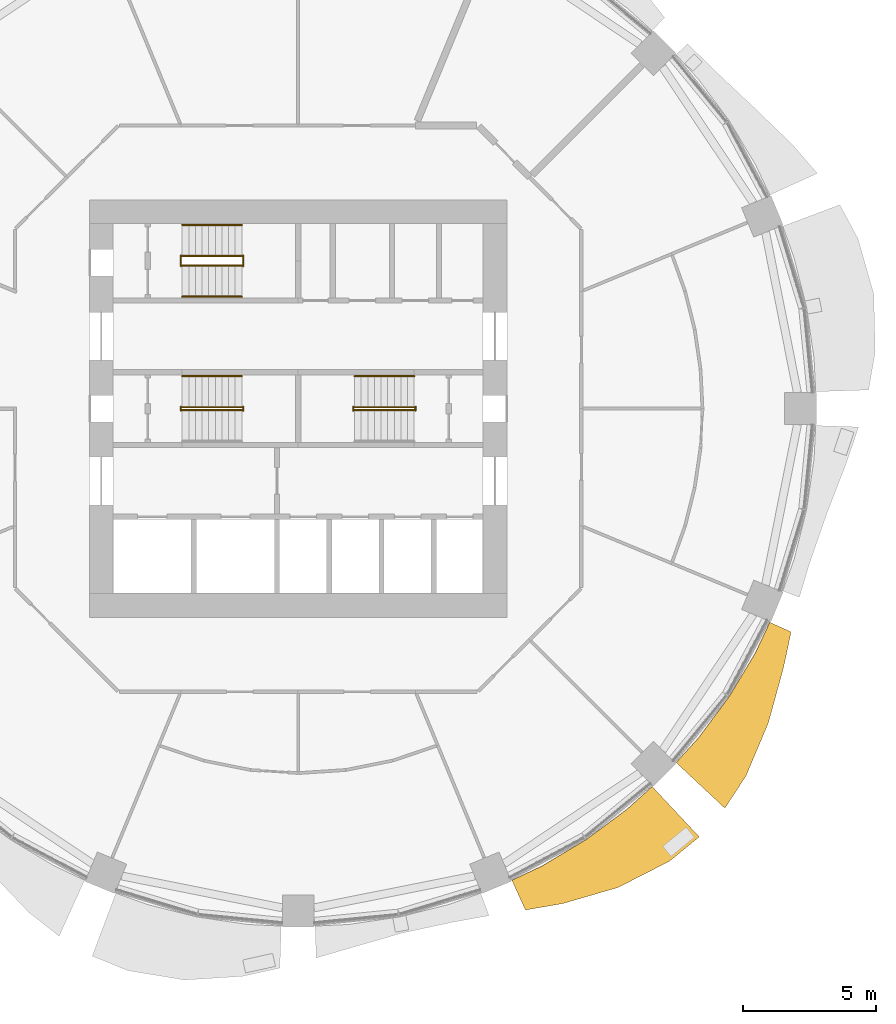
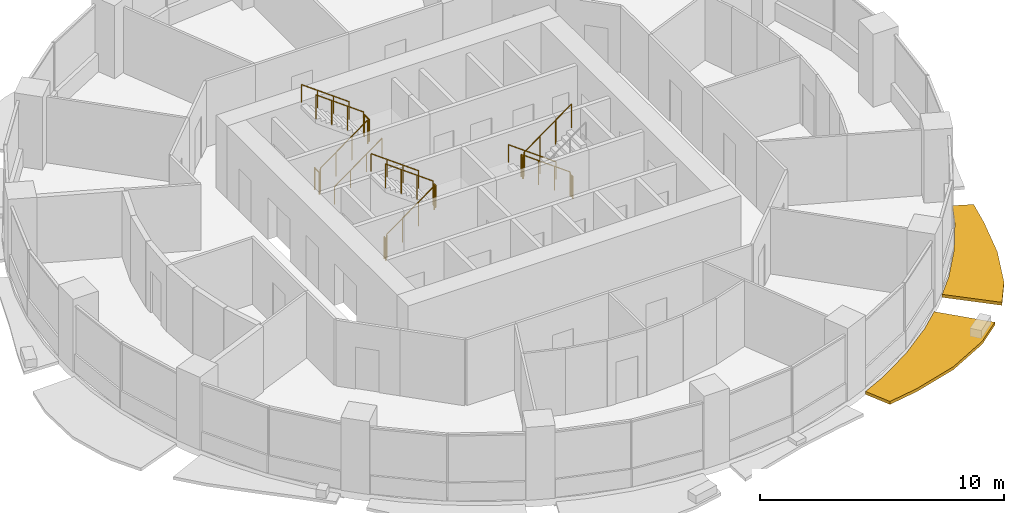
# One storey, part 13 of 15: 16 railings, 2 shading devices.
"""IFC4 building model written with IfcOpenShell, lengths in metres."""

import ifcopenshell
import ifcopenshell.guid

model = None  # the IFC model being written
_history = None  # IfcOwnerHistory: only IFC2X3 demands one
_inside = {}  # id of a spatial element -> (the spatial element, [elements in it])
_under = {}  # id of a project, library or spatial element -> (it, [spatial elements below it])
_declared = {}  # id of a project -> (the project, [libraries it declares])
_typed = {}  # id of a type object -> (the type object, [elements of that type])
_made_of = {}  # id of a material, layer set ... -> (it, [elements and type objects made of it])


def new_model(schema):
    """Start an empty IFC model of exactly this schema.

    Asked for "IFC4X3", IfcOpenShell would pick the latest addendum, in which some entities
    have other attributes; the version numbers below select the first issue.
    IFC2X3 requires an IfcOwnerHistory on every rooted entity: one is made here for all.
    """
    global model, _history
    if schema == "IFC4X3":
        model = ifcopenshell.file(schema_version=(4, 3, 0, 0))
    else:
        model = ifcopenshell.file(schema=schema)
    _inside.clear()
    _under.clear()
    _declared.clear()
    _typed.clear()
    _made_of.clear()
    _history = None
    if model.schema == "IFC2X3":
        org = make("IfcOrganization", Name="unknown")
        user = make(
            "IfcPersonAndOrganization",
            ThePerson=make("IfcPerson", FamilyName="unknown"),
            TheOrganization=org,
        )
        app = make(
            "IfcApplication",
            ApplicationDeveloper=org,
            Version="unknown",
            ApplicationFullName="unknown",
            ApplicationIdentifier="unknown",
        )
        _history = make(
            "IfcOwnerHistory",
            OwningUser=user,
            OwningApplication=app,
            ChangeAction="ADDED",
            CreationDate=0,
        )
    return model


def make(cls, **values):
    """One entity of the class cls with the attributes given. An attribute that is None is left unset."""
    return model.create_entity(
        cls, **{name: value for name, value in values.items() if value is not None}
    )


def rooted(cls, **values):
    """An entity with a GlobalId (a new one), such as an element, a storey or a relation."""
    return make(cls, GlobalId=ifcopenshell.guid.new(), OwnerHistory=_history, **values)


def si_unit(unit_type, name, prefix=None):
    """IfcSIUnit, for example si_unit("LENGTHUNIT", "METRE", prefix="MILLI")."""
    return make("IfcSIUnit", UnitType=unit_type, Prefix=prefix, Name=name)


def assignment(units):
    """IfcUnitAssignment: the units of a project."""
    return None if units is None else make("IfcUnitAssignment", Units=units)


def point(xyz):
    """IfcCartesianPoint."""
    return None if xyz is None else make("IfcCartesianPoint", Coordinates=xyz)


def direction(xyz):
    """IfcDirection."""
    return None if xyz is None else make("IfcDirection", DirectionRatios=xyz)


def frame(location, z_axis=None, x_axis=None):
    """IfcAxis2Placement3D, a coordinate frame: its origin and axes. An axis left out is left unset."""
    return make(
        "IfcAxis2Placement3D",
        Location=point(location),
        Axis=direction(z_axis),
        RefDirection=direction(x_axis),
    )


def frame_2d(location, x_axis=None):
    """IfcAxis2Placement2D, a coordinate frame in the plane: its origin and x axis."""
    return make(
        "IfcAxis2Placement2D", Location=point(location), RefDirection=direction(x_axis)
    )


def origin():
    """The frame at (0, 0, 0) with its axes left unset."""
    return frame((0.0, 0.0, 0.0))


def origin_2d():
    """The frame at (0, 0) in the plane with its x axis left unset."""
    return frame_2d((0.0, 0.0))


def place(relative_to, where):
    """IfcLocalPlacement: puts the frame where relative to a parent placement (None: the world)."""
    return make(
        "IfcLocalPlacement", PlacementRelTo=relative_to, RelativePlacement=where
    )


def context(
    kind, dimensions, precision=None, world=None, true_north=None, identifier=None
):
    """IfcGeometricRepresentationContext, for example the 3D "Model" context."""
    return make(
        "IfcGeometricRepresentationContext",
        ContextIdentifier=identifier,
        ContextType=kind,
        CoordinateSpaceDimension=dimensions,
        Precision=precision,
        WorldCoordinateSystem=world,
        TrueNorth=true_north,
    )


def subcontext(parent, identifier, kind, view, scale=None):
    """IfcGeometricRepresentationSubContext, for example "Body" below "Model"."""
    return make(
        "IfcGeometricRepresentationSubContext",
        ContextIdentifier=identifier,
        ContextType=kind,
        ParentContext=parent,
        TargetScale=scale,
        TargetView=view,
    )


def project(units=None, contexts=None):
    """IfcProject with its units and contexts."""
    return rooted(
        "IfcProject",
        Name="project",
        RepresentationContexts=contexts,
        UnitsInContext=assignment(units),
    )


def spatial(cls, under=None, at=None, **own):
    """A site, building, storey or space (cls), placed at a placement, below another one or the project."""
    s = rooted(cls, ObjectPlacement=at, **own)
    if under is not None:
        _under.setdefault(under.id(), (under, []))[1].append(s)
    return s


def polyline(points):
    """IfcPolyline through the points."""
    return make("IfcPolyline", Points=[point(p) for p in points])


def profile(cls, at=None, kind="AREA", **sizes):
    """A parametric profile (cls). Its sizes go by their IFC names, for example OverallWidth=200.0."""
    return make(cls, ProfileType=kind, Position=at, **sizes)


def circle(**sizes):
    """IfcCircleProfileDef."""
    return profile("IfcCircleProfileDef", **sizes)


def outline(outer, holes=None, kind="AREA"):
    """IfcArbitraryClosedProfileDef: a profile drawn as a closed curve; with holes, ...WithVoids."""
    if holes is None:
        return make("IfcArbitraryClosedProfileDef", ProfileType=kind, OuterCurve=outer)
    return make(
        "IfcArbitraryProfileDefWithVoids",
        ProfileType=kind,
        OuterCurve=outer,
        InnerCurves=holes,
    )


def extrude(swept, where, along, depth):
    """IfcExtrudedAreaSolid: the profile swept, set in the frame where, extruded along a direction by depth."""
    return make(
        "IfcExtrudedAreaSolid",
        SweptArea=swept,
        Position=where,
        ExtrudedDirection=direction(along),
        Depth=depth,
    )


def shape(context_of_items, identifier, shape_type, items):
    """IfcShapeRepresentation: the items that make up one representation, for example the "Body"."""
    return make(
        "IfcShapeRepresentation",
        ContextOfItems=context_of_items,
        RepresentationIdentifier=identifier,
        RepresentationType=shape_type,
        Items=items,
    )


def material(Name=None, Category=None):
    """IfcMaterial."""
    return make("IfcMaterial", Name=Name, Category=Category)


def made_of(thing, what):
    """Note that an element or type object is made of a material, layer set ...; save() writes the relation."""
    if what is not None:
        _made_of.setdefault(what.id(), (what, []))[1].append(thing)
    return thing


def type_object(cls, material=None, **own):
    """A type object (cls), such as IfcWallType, which elements share."""
    return made_of(rooted(cls, **own), material)


def element(
    cls,
    number,
    at=None,
    inside=None,
    cuts=None,
    type_object=None,
    material=None,
    context=None,
    identifier="Body",
    shape_type=None,
    held_by="IfcProductDefinitionShape",
    body=None,
    shapes=None,
    **own,
):
    """One element of the class cls, such as IfcWall. Its Tag is "e" and its number.

    at: its placement. inside: the storey or other place that contains it. cuts: it is an
    opening in that element (IfcRelVoidsElement). A single representation is given by context,
    identifier, shape_type and body (its items); several are given by shapes. held_by: the class
    of the entity that holds the representations. save() writes the other relations.
    """
    e = rooted(cls, Tag="e%d" % number, ObjectPlacement=at, **own)
    if body is not None:
        shapes = [shape(context, identifier, shape_type, body)]
    if shapes is not None:
        e.Representation = make(held_by, Representations=shapes)
    if inside is not None:
        _inside.setdefault(inside.id(), (inside, []))[1].append(e)
    if cuts is not None:
        rooted(
            "IfcRelVoidsElement", RelatingBuildingElement=cuts, RelatedOpeningElement=e
        )
    if type_object is not None:
        _typed.setdefault(type_object.id(), (type_object, []))[1].append(e)
    return made_of(e, material)


def aggregate(whole, parts):
    """IfcRelAggregates: a whole, such as a stair, and the parts it consists of."""
    return rooted("IfcRelAggregates", RelatingObject=whole, RelatedObjects=parts)


def save(model, path):
    """Write the relations noted so far, then the file.

    IfcRelAggregates (storeys below a building ...), IfcRelContainedInSpatialStructure (elements
    in a storey), IfcRelDefinesByType, IfcRelAssociatesMaterial and IfcRelDeclares: one each for
    every whole, place, type object, material and project.
    """
    for whole, parts in _under.values():
        aggregate(whole, parts)
    for where, things in _inside.values():
        rooted(
            "IfcRelContainedInSpatialStructure",
            RelatedElements=things,
            RelatingStructure=where,
        )
    for kind, things in _typed.values():
        rooted("IfcRelDefinesByType", RelatedObjects=things, RelatingType=kind)
    for what, things in _made_of.values():
        rooted("IfcRelAssociatesMaterial", RelatedObjects=things, RelatingMaterial=what)
    for by, libraries in _declared.values():
        rooted("IfcRelDeclares", RelatingContext=by, RelatedDefinitions=libraries)
    model.write(path)


model = new_model("IFC4")

# Units and contexts
model_context = context("Model", 3, precision=1e-05, world=origin(), true_north=direction((0.0, 1.0)))
body_context = subcontext(model_context, "Body", "Model", "MODEL_VIEW")
ifc_project = project(units=[si_unit("LENGTHUNIT", "METRE"), si_unit("AREAUNIT", "SQUARE_METRE"), si_unit("VOLUMEUNIT", "CUBIC_METRE"), si_unit("PLANEANGLEUNIT", "RADIAN"), si_unit("MASSUNIT", "GRAM", prefix="KILO")], contexts=[model_context])

# Site, building, storey
site_placement = place(None, origin())
site = spatial("IfcSite", under=ifc_project, at=site_placement, CompositionType="ELEMENT")
building_placement = place(site_placement, origin())
building = spatial("IfcBuilding", under=site, at=building_placement, Name="Polderwave Tower", CompositionType="ELEMENT")
storey_placement = place(building_placement, frame((0.0, 0.0, 59.050048828125)))
storey = spatial("IfcBuildingStorey", under=building, at=storey_placement, Name="L15", CompositionType="ELEMENT", Elevation=59.050048828125)

# Railings
ifc_material_1 = material(Name="Stainless steel", Category="steel")
railing_type_1 = type_object("IfcRailingType", Name="Stair guard 1100", PredefinedType="GUARDRAIL", material=ifc_material_1)
railing_1_placement = place(storey_placement, frame((-4.3740234375, -0.051025390625, 0.062255859375)))
element("IfcRailing", 1, at=railing_1_placement, inside=storey, type_object=railing_type_1, Name="L15 ST-A stair guard 1", PredefinedType="GUARDRAIL", context=body_context, shape_type="SweptSolid", body=[
    extrude(circle(Radius=0.02392578125, at=origin_2d()), frame((0.0, 0.0, 1.1962890625), z_axis=(0.807673635365, 0.0, 0.58962979804), x_axis=(0.0, 1.0, 0.0)), (0.0, 0.0, 1.0), 2.785888671875),
    extrude(circle(Radius=0.02392578125, at=origin_2d()), origin(), (0.0, 0.0, 1.0), 1.172119140625),
    extrude(circle(Radius=0.02392578125, at=origin_2d()), frame((0.75, 0.0, 0.547607421875)), (0.0, 0.0, 1.0), 1.172119140625),
    extrude(circle(Radius=0.02392578125, at=origin_2d()), frame((1.5, 0.0, 1.094970703125)), (0.0, 0.0, 1.0), 1.172119140625),
    extrude(circle(Radius=0.02392578125, at=origin_2d()), frame((2.25, 0.0, 1.642578125)), (0.0, 0.0, 1.0), 1.172119140625),
])
railing_2_placement = place(storey_placement, frame((-2.073974609375, -0.074951171875, 1.824951171875)))
element("IfcRailing", 2, at=railing_2_placement, inside=storey, type_object=railing_type_1, Name="L15 ST-A stair guard 2", PredefinedType="GUARDRAIL", context=body_context, shape_type="SweptSolid", body=[
    extrude(circle(Radius=0.02392578125, at=origin_2d()), frame((0.0, 0.0, 1.076171875), z_axis=(0.0, 1.0, 0.0), x_axis=(-1.0, 0.0, 0.0)), (0.0, 0.0, 1.0), 0.14990234375),
    extrude(circle(Radius=0.02099609375, at=origin_2d()), origin(), (0.0, 0.0, 1.0), 1.052001953125),
    extrude(circle(Radius=0.02099609375, at=origin_2d()), frame((0.0, 0.14990234375, 0.0)), (0.0, 0.0, 1.0), 1.052001953125),
])
railing_3_placement = place(storey_placement, frame((-2.1240234375, 0.051025390625, 1.887451171875)))
element("IfcRailing", 3, at=railing_3_placement, inside=storey, type_object=railing_type_1, Name="L15 ST-A stair guard 3", PredefinedType="GUARDRAIL", context=body_context, shape_type="SweptSolid", body=[
    extrude(circle(Radius=0.02392578125, at=origin_2d()), frame((0.0, 0.0, 1.1962890625), z_axis=(-0.807715371301, 0.0, 0.589572623995), x_axis=(0.0, -1.0, 0.0)), (0.0, 0.0, 1.0), 2.78564453125),
    extrude(circle(Radius=0.02392578125, at=origin_2d()), origin(), (0.0, 0.0, 1.0), 1.172119140625),
    extrude(circle(Radius=0.02392578125, at=origin_2d()), frame((-0.75, 0.0, 0.54736328125)), (0.0, 0.0, 1.0), 1.172119140625),
    extrude(circle(Radius=0.02392578125, at=origin_2d()), frame((-1.5, 0.0, 1.094970703125)), (0.0, 0.0, 1.0), 1.172119140625),
    extrude(circle(Radius=0.02392578125, at=origin_2d()), frame((-2.25, 0.0, 1.642333984375)), (0.0, 0.0, 1.0), 1.172119140625),
])
railing_4_placement = place(storey_placement, frame((-4.424072265625, -0.074951171875, 0.0)))
element("IfcRailing", 4, at=railing_4_placement, inside=storey, type_object=railing_type_1, Name="L15 ST-A stair guard 4", PredefinedType="GUARDRAIL", context=body_context, shape_type="SweptSolid", body=[
    extrude(circle(Radius=0.02392578125, at=origin_2d()), frame((0.0, 0.0, 1.076171875), z_axis=(0.0, 1.0, 0.0), x_axis=(-1.0, 0.0, 0.0)), (0.0, 0.0, 1.0), 0.14990234375),
    extrude(circle(Radius=0.02099609375, at=origin_2d()), origin(), (0.0, 0.0, 1.0), 1.052001953125),
    extrude(circle(Radius=0.02099609375, at=origin_2d()), frame((0.0, 0.14990234375, 0.0)), (0.0, 0.0, 1.0), 1.052001953125),
])
railing_5_placement = place(storey_placement, frame((4.3740234375, 0.051025390625, 0.062255859375)))
element("IfcRailing", 5, at=railing_5_placement, inside=storey, type_object=railing_type_1, Name="L15 ST-B stair guard 1", PredefinedType="GUARDRAIL", context=body_context, shape_type="SweptSolid", body=[
    extrude(circle(Radius=0.02392578125, at=origin_2d()), frame((0.0, 0.0, 1.1962890625), z_axis=(-0.807673635365, 0.0, 0.58962979804), x_axis=(0.0, -1.0, 0.0)), (0.0, 0.0, 1.0), 2.785888671875),
    extrude(circle(Radius=0.02392578125, at=origin_2d()), origin(), (0.0, 0.0, 1.0), 1.172119140625),
    extrude(circle(Radius=0.02392578125, at=origin_2d()), frame((-0.75, 0.0, 0.547607421875)), (0.0, 0.0, 1.0), 1.172119140625),
    extrude(circle(Radius=0.02392578125, at=origin_2d()), frame((-1.5, 0.0, 1.094970703125)), (0.0, 0.0, 1.0), 1.172119140625),
    extrude(circle(Radius=0.02392578125, at=origin_2d()), frame((-2.25, 0.0, 1.642578125)), (0.0, 0.0, 1.0), 1.172119140625),
])
railing_6_placement = place(storey_placement, frame((2.073974609375, 0.074951171875, 1.824951171875)))
element("IfcRailing", 6, at=railing_6_placement, inside=storey, type_object=railing_type_1, Name="L15 ST-B stair guard 2", PredefinedType="GUARDRAIL", context=body_context, shape_type="SweptSolid", body=[
    extrude(circle(Radius=0.02392578125, at=origin_2d()), frame((0.0, 0.0, 1.076171875), z_axis=(0.0, -1.0, 0.0), x_axis=(1.0, 0.0, 0.0)), (0.0, 0.0, 1.0), 0.14990234375),
    extrude(circle(Radius=0.02099609375, at=origin_2d()), origin(), (0.0, 0.0, 1.0), 1.052001953125),
    extrude(circle(Radius=0.02099609375, at=origin_2d()), frame((0.0, -0.14990234375, 0.0)), (0.0, 0.0, 1.0), 1.052001953125),
])
railing_7_placement = place(storey_placement, frame((2.1240234375, -0.051025390625, 1.887451171875)))
element("IfcRailing", 7, at=railing_7_placement, inside=storey, type_object=railing_type_1, Name="L15 ST-B stair guard 3", PredefinedType="GUARDRAIL", context=body_context, shape_type="SweptSolid", body=[
    extrude(circle(Radius=0.02392578125, at=origin_2d()), frame((0.0, 0.0, 1.1962890625), z_axis=(0.807715371301, 0.0, 0.589572623995), x_axis=(0.0, 1.0, 0.0)), (0.0, 0.0, 1.0), 2.78564453125),
    extrude(circle(Radius=0.02392578125, at=origin_2d()), origin(), (0.0, 0.0, 1.0), 1.172119140625),
    extrude(circle(Radius=0.02392578125, at=origin_2d()), frame((0.75, 0.0, 0.54736328125)), (0.0, 0.0, 1.0), 1.172119140625),
    extrude(circle(Radius=0.02392578125, at=origin_2d()), frame((1.5, 0.0, 1.094970703125)), (0.0, 0.0, 1.0), 1.172119140625),
    extrude(circle(Radius=0.02392578125, at=origin_2d()), frame((2.25, 0.0, 1.642333984375)), (0.0, 0.0, 1.0), 1.172119140625),
])
railing_8_placement = place(storey_placement, frame((4.424072265625, 0.074951171875, 0.0)))
element("IfcRailing", 8, at=railing_8_placement, inside=storey, type_object=railing_type_1, Name="L15 ST-B stair guard 4", PredefinedType="GUARDRAIL", context=body_context, shape_type="SweptSolid", body=[
    extrude(circle(Radius=0.02392578125, at=origin_2d()), frame((0.0, 0.0, 1.076171875), z_axis=(0.0, -1.0, 0.0), x_axis=(1.0, 0.0, 0.0)), (0.0, 0.0, 1.0), 0.14990234375),
    extrude(circle(Radius=0.02099609375, at=origin_2d()), origin(), (0.0, 0.0, 1.0), 1.052001953125),
    extrude(circle(Radius=0.02099609375, at=origin_2d()), frame((0.0, -0.14990234375, 0.0)), (0.0, 0.0, 1.0), 1.052001953125),
])
railing_9_placement = place(storey_placement, frame((-4.3740234375, 5.39794921875, 0.062255859375)))
element("IfcRailing", 9, at=railing_9_placement, inside=storey, type_object=railing_type_1, Name="L15 ST-C stair guard 1", PredefinedType="GUARDRAIL", context=body_context, shape_type="SweptSolid", body=[
    extrude(circle(Radius=0.02392578125, at=origin_2d()), frame((0.0, 0.0, 1.1962890625), z_axis=(0.807673635365, 0.0, 0.58962979804), x_axis=(0.0, 1.0, 0.0)), (0.0, 0.0, 1.0), 2.785888671875),
    extrude(circle(Radius=0.02392578125, at=origin_2d()), origin(), (0.0, 0.0, 1.0), 1.172119140625),
    extrude(circle(Radius=0.02392578125, at=origin_2d()), frame((0.75, 0.0, 0.547607421875)), (0.0, 0.0, 1.0), 1.172119140625),
    extrude(circle(Radius=0.02392578125, at=origin_2d()), frame((1.5, 0.0, 1.094970703125)), (0.0, 0.0, 1.0), 1.172119140625),
    extrude(circle(Radius=0.02392578125, at=origin_2d()), frame((2.25, 0.0, 1.642578125)), (0.0, 0.0, 1.0), 1.172119140625),
])
railing_10_placement = place(storey_placement, frame((-2.073974609375, 5.3740234375, 1.824951171875)))
element("IfcRailing", 10, at=railing_10_placement, inside=storey, type_object=railing_type_1, Name="L15 ST-C stair guard 2", PredefinedType="GUARDRAIL", context=body_context, shape_type="SweptSolid", body=[
    extrude(circle(Radius=0.02392578125, at=origin_2d()), frame((0.0, 0.0, 1.076171875), z_axis=(0.0, 1.0, 0.0), x_axis=(-1.0, 0.0, 0.0)), (0.0, 0.0, 1.0), 0.39990234375),
    extrude(circle(Radius=0.02099609375, at=origin_2d()), origin(), (0.0, 0.0, 1.0), 1.052001953125),
    extrude(circle(Radius=0.02099609375, at=origin_2d()), frame((0.0, 0.39990234375, 0.0)), (0.0, 0.0, 1.0), 1.052001953125),
])
railing_11_placement = place(storey_placement, frame((-2.1240234375, 5.75, 1.887451171875)))
element("IfcRailing", 11, at=railing_11_placement, inside=storey, type_object=railing_type_1, Name="L15 ST-C stair guard 3", PredefinedType="GUARDRAIL", context=body_context, shape_type="SweptSolid", body=[
    extrude(circle(Radius=0.02392578125, at=origin_2d()), frame((0.0, 0.0, 1.1962890625), z_axis=(-0.807715371301, 0.0, 0.589572623995), x_axis=(0.0, -1.0, 0.0)), (0.0, 0.0, 1.0), 2.78564453125),
    extrude(circle(Radius=0.02392578125, at=origin_2d()), origin(), (0.0, 0.0, 1.0), 1.172119140625),
    extrude(circle(Radius=0.02392578125, at=origin_2d()), frame((-0.75, 0.0, 0.54736328125)), (0.0, 0.0, 1.0), 1.172119140625),
    extrude(circle(Radius=0.02392578125, at=origin_2d()), frame((-1.5, 0.0, 1.094970703125)), (0.0, 0.0, 1.0), 1.172119140625),
    extrude(circle(Radius=0.02392578125, at=origin_2d()), frame((-2.25, 0.0, 1.642333984375)), (0.0, 0.0, 1.0), 1.172119140625),
])
railing_12_placement = place(storey_placement, frame((-4.424072265625, 5.3740234375, 0.0)))
element("IfcRailing", 12, at=railing_12_placement, inside=storey, type_object=railing_type_1, Name="L15 ST-C stair guard 4", PredefinedType="GUARDRAIL", context=body_context, shape_type="SweptSolid", body=[
    extrude(circle(Radius=0.02392578125, at=origin_2d()), frame((0.0, 0.0, 1.076171875), z_axis=(0.0, 1.0, 0.0), x_axis=(-1.0, 0.0, 0.0)), (0.0, 0.0, 1.0), 0.39990234375),
    extrude(circle(Radius=0.02099609375, at=origin_2d()), origin(), (0.0, 0.0, 1.0), 1.052001953125),
    extrude(circle(Radius=0.02099609375, at=origin_2d()), frame((0.0, 0.39990234375, 0.0)), (0.0, 0.0, 1.0), 1.052001953125),
])
railing_type_2 = type_object("IfcRailingType", Name="Stair handrail 900", PredefinedType="HANDRAIL", material=ifc_material_1)
railing_13_placement = place(storey_placement, frame((-2.1240234375, 1.22509765625, 2.007568359375)))
element("IfcRailing", 13, at=railing_13_placement, inside=storey, type_object=railing_type_2, Name="L15 ST-A stair handrail 2", PredefinedType="HANDRAIL", context=body_context, shape_type="SweptSolid", body=[
    extrude(circle(Radius=0.02392578125, at=origin_2d()), frame((0.0, 0.0, 0.8759765625), z_axis=(-0.807715371301, 0.0, 0.589572623995), x_axis=(0.0, -1.0, 0.0)), (0.0, 0.0, 1.0), 2.78564453125),
    extrude(circle(Radius=0.02099609375, at=origin_2d()), origin(), (0.0, 0.0, 1.0), 0.851806640625),
    extrude(circle(Radius=0.02099609375, at=origin_2d()), frame((-0.75, 0.0, 0.54736328125)), (0.0, 0.0, 1.0), 0.851806640625),
    extrude(circle(Radius=0.02099609375, at=origin_2d()), frame((-1.5, 0.0, 1.094970703125)), (0.0, 0.0, 1.0), 0.851806640625),
    extrude(circle(Radius=0.02099609375, at=origin_2d()), frame((-2.25, 0.0, 1.642333984375)), (0.0, 0.0, 1.0), 0.851806640625),
])
railing_14_placement = place(storey_placement, frame((4.3740234375, 1.22509765625, 0.182373046875)))
element("IfcRailing", 14, at=railing_14_placement, inside=storey, type_object=railing_type_2, Name="L15 ST-B stair handrail 1", PredefinedType="HANDRAIL", context=body_context, shape_type="SweptSolid", body=[
    extrude(circle(Radius=0.02392578125, at=origin_2d()), frame((0.0, 0.0, 0.8759765625), z_axis=(-0.807673635365, 0.0, 0.58962979804), x_axis=(0.0, -1.0, 0.0)), (0.0, 0.0, 1.0), 2.785888671875),
    extrude(circle(Radius=0.02099609375, at=origin_2d()), origin(), (0.0, 0.0, 1.0), 0.851806640625),
    extrude(circle(Radius=0.02099609375, at=origin_2d()), frame((-0.75, 0.0, 0.547607421875)), (0.0, 0.0, 1.0), 0.851806640625),
    extrude(circle(Radius=0.02099609375, at=origin_2d()), frame((-1.5, 0.0, 1.094970703125)), (0.0, 0.0, 1.0), 0.851806640625),
    extrude(circle(Radius=0.02099609375, at=origin_2d()), frame((-2.25, 0.0, 1.642578125)), (0.0, 0.0, 1.0), 0.851806640625),
])
railing_15_placement = place(storey_placement, frame((-4.3740234375, 4.22412109375, 0.182373046875)))
element("IfcRailing", 15, at=railing_15_placement, inside=storey, type_object=railing_type_2, Name="L15 ST-C stair handrail 1", PredefinedType="HANDRAIL", context=body_context, shape_type="SweptSolid", body=[
    extrude(circle(Radius=0.02392578125, at=origin_2d()), frame((0.0, 0.0, 0.8759765625), z_axis=(0.807673635365, 0.0, 0.58962979804), x_axis=(0.0, 1.0, 0.0)), (0.0, 0.0, 1.0), 2.785888671875),
    extrude(circle(Radius=0.02099609375, at=origin_2d()), origin(), (0.0, 0.0, 1.0), 0.851806640625),
    extrude(circle(Radius=0.02099609375, at=origin_2d()), frame((0.75, 0.0, 0.547607421875)), (0.0, 0.0, 1.0), 0.851806640625),
    extrude(circle(Radius=0.02099609375, at=origin_2d()), frame((1.5, 0.0, 1.094970703125)), (0.0, 0.0, 1.0), 0.851806640625),
    extrude(circle(Radius=0.02099609375, at=origin_2d()), frame((2.25, 0.0, 1.642578125)), (0.0, 0.0, 1.0), 0.851806640625),
])
railing_16_placement = place(storey_placement, frame((-2.1240234375, 6.924072265625, 2.007568359375)))
element("IfcRailing", 16, at=railing_16_placement, inside=storey, type_object=railing_type_2, Name="L15 ST-C stair handrail 2", PredefinedType="HANDRAIL", context=body_context, shape_type="SweptSolid", body=[
    extrude(circle(Radius=0.02392578125, at=origin_2d()), frame((0.0, 0.0, 0.8759765625), z_axis=(-0.807715371301, 0.0, 0.589572623995), x_axis=(0.0, -1.0, 0.0)), (0.0, 0.0, 1.0), 2.78564453125),
    extrude(circle(Radius=0.02099609375, at=origin_2d()), origin(), (0.0, 0.0, 1.0), 0.851806640625),
    extrude(circle(Radius=0.02099609375, at=origin_2d()), frame((-0.75, 0.0, 0.54736328125)), (0.0, 0.0, 1.0), 0.851806640625),
    extrude(circle(Radius=0.02099609375, at=origin_2d()), frame((-1.5, 0.0, 1.094970703125)), (0.0, 0.0, 1.0), 0.851806640625),
    extrude(circle(Radius=0.02099609375, at=origin_2d()), frame((-2.25, 0.0, 1.642333984375)), (0.0, 0.0, 1.0), 0.851806640625),
])

# Shading devices
ifc_material_2 = material(Name="Terracotta", Category="masonry")
shading_device_type = type_object("IfcShadingDeviceType", Name="Terracotta sunshade band", PredefinedType="USERDEFINED", material=ifc_material_2)
shading_device_1_placement = place(storey_placement, frame((0.0, 0.0, -0.35009765625)))
element("IfcShadingDevice", 17, at=shading_device_1_placement, inside=storey, type_object=shading_device_type, Name="Sunshade band L15 14", ObjectType="SUNSHADE", PredefinedType="USERDEFINED", context=body_context, shape_type="SweptSolid", body=[
    extrude(outline(polyline([(8.055419921875, -17.779296875), (9.211181640625, -17.232666015625), (10.855712890625, -16.246826171875), (12.39599609375, -15.1044921875), (13.343505859375, -14.24609375), (15.12060546875, -16.1435546875), (14.001220703125, -17.060546875), (12.06103515625, -18.05078125), (9.973388671875, -18.65869140625), (8.56396484375, -18.90234375), (8.055419921875, -17.779296875)])), origin(), (0.0, 0.0, 1.0), 0.150146484375),
])
shading_device_2_placement = place(storey_placement, frame((0.0, 0.0, -0.35009765625)))
element("IfcShadingDevice", 18, at=shading_device_2_placement, inside=storey, type_object=shading_device_type, Name="Sunshade band L15 15", ObjectType="SUNSHADE", PredefinedType="USERDEFINED", context=body_context, shape_type="SweptSolid", body=[
    extrude(outline(polyline([(14.24609375, -13.343505859375), (15.1044921875, -12.39599609375), (16.246826171875, -10.855712890625), (17.232666015625, -9.211181640625), (17.779296875, -8.055419921875), (18.581787109375, -8.4189453125), (18.292724609375, -9.777587890625), (17.7255859375, -11.843994140625), (16.87890625, -13.85205078125), (16.083251953125, -15.064208984375), (14.24609375, -13.343505859375)])), origin(), (0.0, 0.0, 1.0), 0.150146484375),
])

save(model, "model.ifc")
